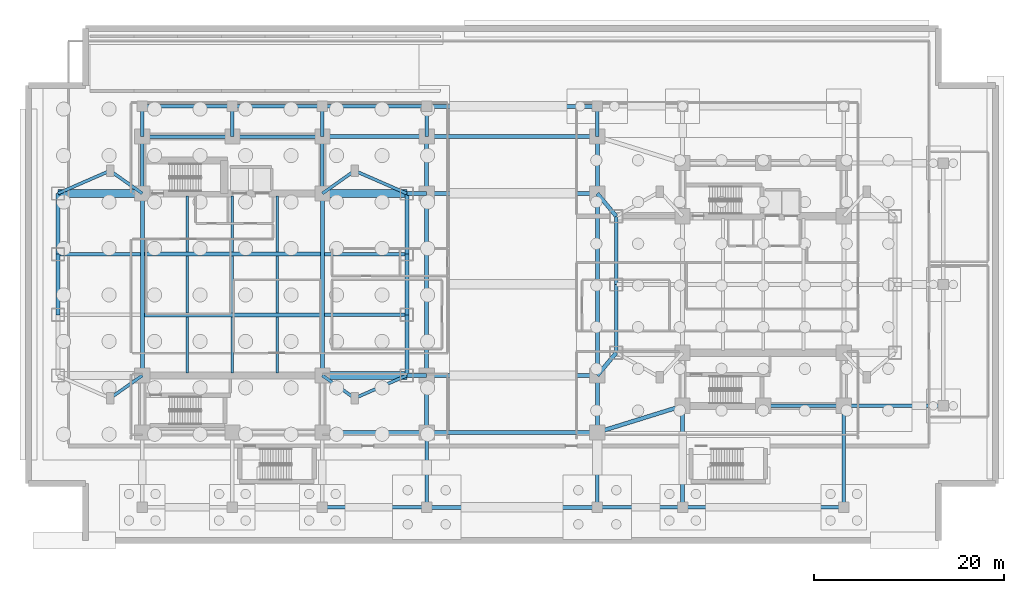
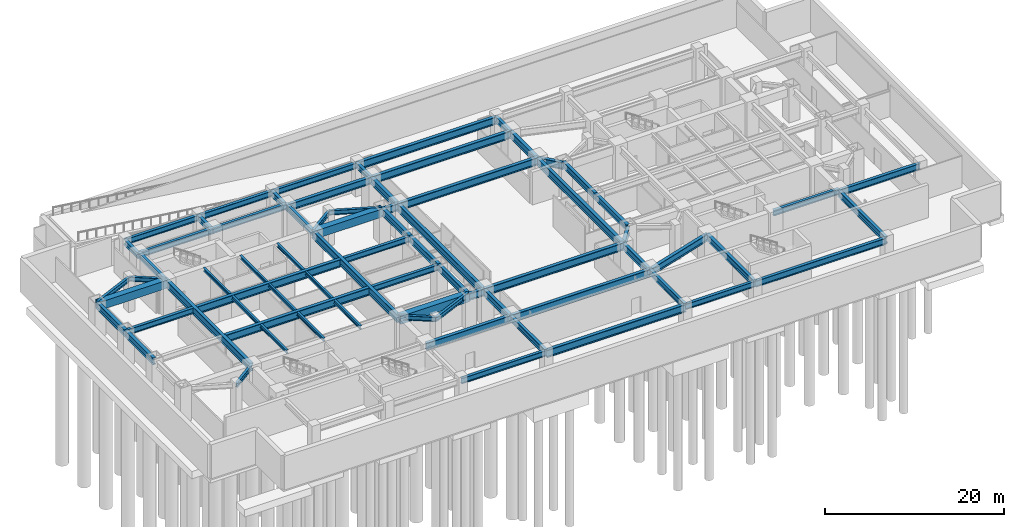
# One storey, part 3 of 16: 73 beams.
"""IFC4 building model written with IfcOpenShell, lengths in metres."""

from ifc_helpers import new_model, si_unit, direction, frame, origin, origin_2d, place, context, subcontext, project, spatial, rectangle, i_section, extrude, material, material_profile, profile_set, type_object, element, save


model = new_model("IFC4")

# Units and contexts
model_context = context("Model", 3, precision=1e-05, world=origin(), true_north=direction((0.0, 1.0)))
body_context = subcontext(model_context, "Body", "Model", "MODEL_VIEW")
ifc_project = project(units=[si_unit("LENGTHUNIT", "METRE"), si_unit("AREAUNIT", "SQUARE_METRE"), si_unit("VOLUMEUNIT", "CUBIC_METRE"), si_unit("PLANEANGLEUNIT", "RADIAN"), si_unit("MASSUNIT", "GRAM", prefix="KILO")], contexts=[model_context])

# Site, building, storey
site_placement = place(None, origin())
site = spatial("IfcSite", under=ifc_project, at=site_placement, CompositionType="ELEMENT")
building_placement = place(site_placement, origin())
building = spatial("IfcBuilding", under=site, at=building_placement, Name="Mirazonda Arch Towers", CompositionType="ELEMENT")
storey_placement = place(building_placement, frame((0.0, 0.0, -4.800048828125)))
storey = spatial("IfcBuildingStorey", under=building, at=storey_placement, Name="B1", CompositionType="ELEMENT", Elevation=-4.800048828125)

# Beams
ifc_material_1 = material(Name="Steel ASTM A992 Grade 50", Category="steel")
ifc_material_profile_1 = material_profile(ifc_material_1, i_section(OverallWidth=0.381103515625, OverallDepth=0.77294921875, WebThickness=0.0166015625, FlangeThickness=0.027099609375, at=origin_2d()), Name="W30X173")
ifc_profile_set_1 = profile_set([ifc_material_profile_1], Name="Steel ASTM A992 Grade 50")
beam_type_1 = type_object("IfcBeamType", Name="BM-EXT-W30X173", PredefinedType="USERDEFINED", material=ifc_profile_set_1)
beam_1_placement = place(storey_placement, frame((30.0, 4.5, 3.91357421875), z_axis=(1.0, 0.0, 0.0), x_axis=(0.0, 1.0, 0.0)))
element("IfcBeam", 1, at=beam_1_placement, inside=storey, type_object=beam_type_1, Name="B1 Floor Beam BM-POD-B1-PS-3", ObjectType="GIRDER", PredefinedType="USERDEFINED", context=body_context, shape_type="SweptSolid", body=[
    extrude(i_section(OverallWidth=0.381103515625, OverallDepth=0.77294921875, WebThickness=0.0166015625, FlangeThickness=0.027099609375, at=origin_2d()), origin(), (0.0, 0.0, 1.0), 11.0),
])
beam_2_placement = place(storey_placement, frame((59.0, 4.5, 3.91357421875), z_axis=(1.0, 0.0, 0.0), x_axis=(0.0, 1.0, 0.0)))
element("IfcBeam", 2, at=beam_2_placement, inside=storey, type_object=beam_type_1, Name="B1 Floor Beam BM-POD-B1-PS-4", ObjectType="GIRDER", PredefinedType="USERDEFINED", context=body_context, shape_type="SweptSolid", body=[
    extrude(i_section(OverallWidth=0.381103515625, OverallDepth=0.77294921875, WebThickness=0.0166015625, FlangeThickness=0.027099609375, at=origin_2d()), origin(), (0.0, 0.0, 1.0), 9.0),
])
for number, where, z_axis, x_axis, name in (
    (3, (11.0, 46.800048828125, 3.91357421875), (1.0, 0.0, 0.0), (0.0, 1.0, 0.0), "B1 Floor Beam BM-POD-B1-PN-1"),
    (4, (20.5, 46.800048828125, 3.91357421875), (1.0, 0.0, 0.0), (0.0, 1.0, 0.0), "B1 Floor Beam BM-POD-B1-PN-2"),
):
    element("IfcBeam", number, at=place(storey_placement, frame(where, z_axis=z_axis, x_axis=x_axis)), inside=storey, type_object=beam_type_1, Name=name, ObjectType="GIRDER", PredefinedType="USERDEFINED", context=body_context, shape_type="SweptSolid", body=[
        extrude(i_section(OverallWidth=0.381103515625, OverallDepth=0.77294921875, WebThickness=0.0166015625, FlangeThickness=0.027099609375, at=origin_2d()), origin(), (0.0, 0.0, 1.0), 9.5),
    ])
beam_3_placement = place(storey_placement, frame((30.0, 46.800048828125, 3.91357421875), z_axis=(1.0, 0.0, 0.0), x_axis=(0.0, 1.0, 0.0)))
element("IfcBeam", 5, at=beam_3_placement, inside=storey, type_object=beam_type_1, Name="B1 Floor Beam BM-POD-B1-PN-3", ObjectType="GIRDER", PredefinedType="USERDEFINED", context=body_context, shape_type="SweptSolid", body=[
    extrude(i_section(OverallWidth=0.381103515625, OverallDepth=0.77294921875, WebThickness=0.0166015625, FlangeThickness=0.027099609375, at=origin_2d()), origin(), (0.0, 0.0, 1.0), 11.0),
])
ifc_material_profile_2 = material_profile(ifc_material_1, i_section(OverallWidth=0.39990234375, OverallDepth=0.85595703125, WebThickness=0.018310546875, FlangeThickness=0.029296875, at=origin_2d()), Name="W33X201")
ifc_profile_set_2 = profile_set([ifc_material_profile_2], Name="Steel ASTM A992 Grade 50")
beam_type_2 = type_object("IfcBeamType", Name="BM-EXT-W33X201", PredefinedType="USERDEFINED", material=ifc_profile_set_2)
for number, where, z_axis, x_axis, name in (
    (6, (61.0, 20.800048828125, 4.052001953125), (0.0, 1.0, 0.0), (-1.0, 0.0, 0.0), "B1 Floor Beam BM-T2-B1-NS-W-20"),
    (7, (61.0, 28.0, 4.052001953125), (0.0, 1.0, 0.0), (-1.0, 0.0, 0.0), "B1 Floor Beam BM-T2-B1-NS-W-28"),
):
    element("IfcBeam", number, at=place(storey_placement, frame(where, z_axis=z_axis, x_axis=x_axis)), inside=storey, type_object=beam_type_2, Name=name, ObjectType="GIRDER", PredefinedType="USERDEFINED", context=body_context, shape_type="SweptSolid", body=[
        extrude(i_section(OverallWidth=0.39990234375, OverallDepth=0.85595703125, WebThickness=0.018310546875, FlangeThickness=0.029296875, at=origin_2d()), origin(), (0.0, 0.0, 1.0), 7.199951171875),
    ])
beam_4_placement = place(storey_placement, frame((68.0, 4.5, 3.8720703125), z_axis=(1.0, 0.0, 0.0), x_axis=(0.0, 1.0, 0.0)))
element("IfcBeam", 8, at=beam_4_placement, inside=storey, type_object=beam_type_2, Name="B1 Floor Beam BM-POD-B1-PS-5", ObjectType="GIRDER", PredefinedType="USERDEFINED", context=body_context, shape_type="SweptSolid", body=[
    extrude(i_section(OverallWidth=0.39990234375, OverallDepth=0.85595703125, WebThickness=0.018310546875, FlangeThickness=0.029296875, at=origin_2d()), origin(), (0.0, 0.0, 1.0), 17.0),
])
ifc_material_profile_3 = material_profile(ifc_material_1, i_section(OverallWidth=0.41796875, OverallDepth=0.927001953125, WebThickness=0.019287109375, FlangeThickness=0.031982421875, at=origin_2d()), Name="W36X231")
ifc_profile_set_3 = profile_set([ifc_material_profile_3], Name="Steel ASTM A992 Grade 50")
beam_type_3 = type_object("IfcBeamType", Name="BM-EXT-W36X231", PredefinedType="USERDEFINED", material=ifc_profile_set_3)
beam_5_placement = place(storey_placement, frame((2.10009765625, 24.800048828125, 4.0166015625), z_axis=(0.0, 1.0, 0.0), x_axis=(-1.0, 0.0, 0.0)))
element("IfcBeam", 9, at=beam_5_placement, inside=storey, type_object=beam_type_3, Name="B1 Floor Beam BM-T1-B1-NS-W-24", ObjectType="GIRDER", PredefinedType="USERDEFINED", context=body_context, shape_type="SweptSolid", body=[
    extrude(i_section(OverallWidth=0.41796875, OverallDepth=0.927001953125, WebThickness=0.019287109375, FlangeThickness=0.031982421875, at=origin_2d()), origin(), (0.0, 0.0, 1.0), 6.39990234375),
])
for number, where, z_axis, x_axis, name in (
    (10, (2.10009765625, 31.199951171875, 4.0166015625), (0.0, 1.0, 0.0), (-1.0, 0.0, 0.0), "B1 Floor Beam BM-T1-B1-NS-W-31"),
    (11, (38.89990234375, 18.39990234375, 4.0166015625), (0.0, 1.0, 0.0), (-1.0, 0.0, 0.0), "B1 Floor Beam BM-T1-B1-NS-E-18"),
):
    element("IfcBeam", number, at=place(storey_placement, frame(where, z_axis=z_axis, x_axis=x_axis)), inside=storey, type_object=beam_type_3, Name=name, ObjectType="GIRDER", PredefinedType="USERDEFINED", context=body_context, shape_type="SweptSolid", body=[
        extrude(i_section(OverallWidth=0.41796875, OverallDepth=0.927001953125, WebThickness=0.019287109375, FlangeThickness=0.031982421875, at=origin_2d()), origin(), (0.0, 0.0, 1.0), 6.400146484375),
    ])
beam_6_placement = place(storey_placement, frame((38.89990234375, 24.800048828125, 4.0166015625), z_axis=(0.0, 1.0, 0.0), x_axis=(-1.0, 0.0, 0.0)))
element("IfcBeam", 12, at=beam_6_placement, inside=storey, type_object=beam_type_3, Name="B1 Floor Beam BM-T1-B1-NS-E-24", ObjectType="GIRDER", PredefinedType="USERDEFINED", context=body_context, shape_type="SweptSolid", body=[
    extrude(i_section(OverallWidth=0.41796875, OverallDepth=0.927001953125, WebThickness=0.019287109375, FlangeThickness=0.031982421875, at=origin_2d()), origin(), (0.0, 0.0, 1.0), 6.39990234375),
])
beam_7_placement = place(storey_placement, frame((38.89990234375, 31.199951171875, 4.0166015625), z_axis=(0.0, 1.0, 0.0), x_axis=(-1.0, 0.0, 0.0)))
element("IfcBeam", 13, at=beam_7_placement, inside=storey, type_object=beam_type_3, Name="B1 Floor Beam BM-T1-B1-NS-E-31", ObjectType="GIRDER", PredefinedType="USERDEFINED", context=body_context, shape_type="SweptSolid", body=[
    extrude(i_section(OverallWidth=0.41796875, OverallDepth=0.927001953125, WebThickness=0.019287109375, FlangeThickness=0.031982421875, at=origin_2d()), origin(), (0.0, 0.0, 1.0), 6.400146484375),
])
ifc_material_profile_4 = material_profile(ifc_material_1, i_section(OverallWidth=0.423095703125, OverallDepth=0.947998046875, WebThickness=0.02392578125, FlangeThickness=0.042724609375, at=origin_2d()), Name="W36X302")
ifc_profile_set_4 = profile_set([ifc_material_profile_4], Name="Steel ASTM A992 Grade 50")
beam_type_4 = type_object("IfcBeamType", Name="BM-EXT-W36X302", PredefinedType="USERDEFINED", material=ifc_profile_set_4)
for number, where, z_axis, x_axis, name in (
    (14, (41.0, 12.39990234375, 3.825927734375), (0.0, 1.0, 0.0), (-1.0, 0.0, 0.0), "B1 Floor Beam BM-POD-B1-PA-WL1"),
    (15, (41.0, 37.60009765625, 3.825927734375), (0.0, 1.0, 0.0), (-1.0, 0.0, 0.0), "B1 Floor Beam BM-POD-B1-PA-WL3"),
    (16, (59.0, 12.39990234375, 3.825927734375), (0.0, 1.0, 0.0), (-1.0, 0.0, 0.0), "B1 Floor Beam BM-POD-B1-PA-EL1"),
    (17, (59.0, 37.60009765625, 3.825927734375), (0.0, 1.0, 0.0), (-1.0, 0.0, 0.0), "B1 Floor Beam BM-POD-B1-PA-EL3"),
):
    element("IfcBeam", number, at=place(storey_placement, frame(where, z_axis=z_axis, x_axis=x_axis)), inside=storey, type_object=beam_type_4, Name=name, ObjectType="GIRDER", PredefinedType="USERDEFINED", context=body_context, shape_type="SweptSolid", body=[
        extrude(i_section(OverallWidth=0.423095703125, OverallDepth=0.947998046875, WebThickness=0.02392578125, FlangeThickness=0.042724609375, at=origin_2d()), origin(), (0.0, 0.0, 1.0), 6.0),
    ])
ifc_material_profile_5 = material_profile(ifc_material_1, i_section(OverallWidth=0.419921875, OverallDepth=1.0400390625, WebThickness=0.031005859375, FlangeThickness=0.055908203125, at=origin_2d()), Name="W40X397")
ifc_profile_set_5 = profile_set([ifc_material_profile_5], Name="Steel ASTM A992 Grade 50")
beam_type_5 = type_object("IfcBeamType", Name="BM-EXT-W40X397", PredefinedType="USERDEFINED", material=ifc_profile_set_5)
for number, where, z_axis, x_axis, name in (
    (18, (41.0, 18.39990234375, 3.780029296875), (0.0, 1.0, 0.0), (-1.0, 0.0, 0.0), "B1 Floor Beam BM-POD-B1-PA-WL2"),
    (19, (59.0, 18.39990234375, 3.780029296875), (0.0, 1.0, 0.0), (-1.0, 0.0, 0.0), "B1 Floor Beam BM-POD-B1-PA-EL2"),
):
    element("IfcBeam", number, at=place(storey_placement, frame(where, z_axis=z_axis, x_axis=x_axis)), inside=storey, type_object=beam_type_5, Name=name, ObjectType="GIRDER", PredefinedType="USERDEFINED", context=body_context, shape_type="SweptSolid", body=[
        extrude(i_section(OverallWidth=0.419921875, OverallDepth=1.0400390625, WebThickness=0.031005859375, FlangeThickness=0.055908203125, at=origin_2d()), origin(), (0.0, 0.0, 1.0), 19.2001953125),
    ])
for number, where, z_axis, x_axis, name in (
    (20, (41.0, 4.5, 3.780029296875), (1.0, 0.0, 0.0), (0.0, 1.0, 0.0), "B1 Floor Beam BM-POD-B1-PARCH-1"),
    (21, (41.0, 46.800048828125, 3.780029296875), (1.0, 0.0, 0.0), (0.0, 1.0, 0.0), "B1 Floor Beam BM-POD-B1-PARCH-6"),
):
    element("IfcBeam", number, at=place(storey_placement, frame(where, z_axis=z_axis, x_axis=x_axis)), inside=storey, type_object=beam_type_5, Name=name, ObjectType="GIRDER", PredefinedType="USERDEFINED", context=body_context, shape_type="SweptSolid", body=[
        extrude(i_section(OverallWidth=0.419921875, OverallDepth=1.0400390625, WebThickness=0.031005859375, FlangeThickness=0.055908203125, at=origin_2d()), origin(), (0.0, 0.0, 1.0), 18.0),
    ])
ifc_material_profile_6 = material_profile(ifc_material_1, i_section(OverallWidth=0.280029296875, OverallDepth=0.462890625, WebThickness=0.0107421875, FlangeThickness=0.017333984375, at=origin_2d()), Name="W18X76")
ifc_profile_set_6 = profile_set([ifc_material_profile_6], Name="Steel ASTM A992 Grade 50")
beam_type_6 = type_object("IfcBeamType", Name="BM-INT-W18X76", PredefinedType="JOIST", material=ifc_profile_set_6)
for number, where, z_axis, x_axis, name in (
    (22, (15.75, 18.639892578125, 4.24853515625), (0.0, 1.0, 0.0), (-1.0, 0.0, 0.0), "B1 Floor Beam BM-T1-B1-J-157-18"),
    (23, (15.75, 31.406005859375, 4.24853515625), (0.0, 1.0, 0.0), (-1.0, 0.0, 0.0), "B1 Floor Beam BM-T1-B1-J-157-31"),
):
    element("IfcBeam", number, at=place(storey_placement, frame(where, z_axis=z_axis, x_axis=x_axis)), inside=storey, type_object=beam_type_6, Name=name, PredefinedType="JOIST", context=body_context, shape_type="SweptSolid", body=[
        extrude(i_section(OverallWidth=0.280029296875, OverallDepth=0.462890625, WebThickness=0.0107421875, FlangeThickness=0.017333984375, at=origin_2d()), origin(), (0.0, 0.0, 1.0), 5.9541015625),
    ])
beam_8_placement = place(storey_placement, frame((15.75, 25.006103515625, 4.24853515625), z_axis=(0.0, 1.0, 0.0), x_axis=(-1.0, 0.0, 0.0)))
element("IfcBeam", 24, at=beam_8_placement, inside=storey, type_object=beam_type_6, Name="B1 Floor Beam BM-T1-B1-J-157-24", PredefinedType="JOIST", context=body_context, shape_type="SweptSolid", body=[
    extrude(i_section(OverallWidth=0.280029296875, OverallDepth=0.462890625, WebThickness=0.0107421875, FlangeThickness=0.017333984375, at=origin_2d()), origin(), (0.0, 0.0, 1.0), 5.98779296875),
])
for number, where, z_axis, x_axis, name in (
    (25, (20.5, 18.639892578125, 4.24853515625), (0.0, 1.0, 0.0), (-1.0, 0.0, 0.0), "B1 Floor Beam BM-T1-B1-J-205-18"),
    (26, (20.5, 31.406005859375, 4.24853515625), (0.0, 1.0, 0.0), (-1.0, 0.0, 0.0), "B1 Floor Beam BM-T1-B1-J-205-31"),
):
    element("IfcBeam", number, at=place(storey_placement, frame(where, z_axis=z_axis, x_axis=x_axis)), inside=storey, type_object=beam_type_6, Name=name, PredefinedType="JOIST", context=body_context, shape_type="SweptSolid", body=[
        extrude(i_section(OverallWidth=0.280029296875, OverallDepth=0.462890625, WebThickness=0.0107421875, FlangeThickness=0.017333984375, at=origin_2d()), origin(), (0.0, 0.0, 1.0), 5.9541015625),
    ])
beam_9_placement = place(storey_placement, frame((20.5, 25.006103515625, 4.24853515625), z_axis=(0.0, 1.0, 0.0), x_axis=(-1.0, 0.0, 0.0)))
element("IfcBeam", 27, at=beam_9_placement, inside=storey, type_object=beam_type_6, Name="B1 Floor Beam BM-T1-B1-J-205-24", PredefinedType="JOIST", context=body_context, shape_type="SweptSolid", body=[
    extrude(i_section(OverallWidth=0.280029296875, OverallDepth=0.462890625, WebThickness=0.0107421875, FlangeThickness=0.017333984375, at=origin_2d()), origin(), (0.0, 0.0, 1.0), 5.98779296875),
])
for number, where, z_axis, x_axis, name in (
    (28, (25.25, 18.639892578125, 4.24853515625), (0.0, 1.0, 0.0), (-1.0, 0.0, 0.0), "B1 Floor Beam BM-T1-B1-J-252-18"),
    (29, (25.25, 31.406005859375, 4.24853515625), (0.0, 1.0, 0.0), (-1.0, 0.0, 0.0), "B1 Floor Beam BM-T1-B1-J-252-31"),
):
    element("IfcBeam", number, at=place(storey_placement, frame(where, z_axis=z_axis, x_axis=x_axis)), inside=storey, type_object=beam_type_6, Name=name, PredefinedType="JOIST", context=body_context, shape_type="SweptSolid", body=[
        extrude(i_section(OverallWidth=0.280029296875, OverallDepth=0.462890625, WebThickness=0.0107421875, FlangeThickness=0.017333984375, at=origin_2d()), origin(), (0.0, 0.0, 1.0), 5.9541015625),
    ])
beam_10_placement = place(storey_placement, frame((25.25, 25.006103515625, 4.24853515625), z_axis=(0.0, 1.0, 0.0), x_axis=(-1.0, 0.0, 0.0)))
element("IfcBeam", 30, at=beam_10_placement, inside=storey, type_object=beam_type_6, Name="B1 Floor Beam BM-T1-B1-J-252-24", PredefinedType="JOIST", context=body_context, shape_type="SweptSolid", body=[
    extrude(i_section(OverallWidth=0.280029296875, OverallDepth=0.462890625, WebThickness=0.0107421875, FlangeThickness=0.017333984375, at=origin_2d()), origin(), (0.0, 0.0, 1.0), 5.98779296875),
])
ifc_material_profile_7 = material_profile(ifc_material_1, i_section(OverallWidth=0.324951171875, OverallDepth=0.615966796875, WebThickness=0.013916015625, FlangeThickness=0.021484375, at=origin_2d()), Name="W24X117")
ifc_profile_set_7 = profile_set([ifc_material_profile_7], Name="Steel ASTM A992 Grade 50")
beam_type_7 = type_object("IfcBeamType", Name="BM-INT-W24X117", PredefinedType="BEAM", material=ifc_profile_set_7)
for number, where, z_axis, x_axis, name in (
    (31, (7.60009765625, 16.0, 4.172119140625), (0.816971114901, 0.576678591087, 0.0), (-0.576678591087, 0.816971114901, 0.0), "B1 Floor Beam BM-T1-B1-PL-SW1"),
    (32, (33.39990234375, 16.0, 4.172119140625), (-0.816971114901, 0.576678591087, 0.0), (-0.576678591087, -0.816971114901, 0.0), "B1 Floor Beam BM-T1-B1-PL-SE1"),
):
    element("IfcBeam", number, at=place(storey_placement, frame(where, z_axis=z_axis, x_axis=x_axis)), inside=storey, type_object=beam_type_7, Name=name, PredefinedType="BEAM", context=body_context, shape_type="SweptSolid", body=[
        extrude(i_section(OverallWidth=0.324951171875, OverallDepth=0.615966796875, WebThickness=0.013916015625, FlangeThickness=0.021484375, at=origin_2d()), origin(), (0.0, 0.0, 1.0), 4.16162109375),
    ])
beam_11_placement = place(storey_placement, frame((33.39990234375, 16.0, 4.172119140625), z_axis=(0.916545343703, 0.399930785183, 0.0), x_axis=(-0.399930785183, 0.916545343703, 0.0)))
element("IfcBeam", 33, at=beam_11_placement, inside=storey, type_object=beam_type_7, Name="B1 Floor Beam BM-T1-B1-PL-SE2", PredefinedType="BEAM", context=body_context, shape_type="SweptSolid", body=[
    extrude(i_section(OverallWidth=0.324951171875, OverallDepth=0.615966796875, WebThickness=0.013916015625, FlangeThickness=0.021484375, at=origin_2d()), origin(), (0.0, 0.0, 1.0), 6.000732421875),
])
beam_12_placement = place(storey_placement, frame((7.60009765625, 40.0, 4.172119140625), z_axis=(0.816971114901, -0.576678591087, 0.0), x_axis=(0.576678591087, 0.816971114901, 0.0)))
element("IfcBeam", 34, at=beam_12_placement, inside=storey, type_object=beam_type_7, Name="B1 Floor Beam BM-T1-B1-PL-NW1", PredefinedType="BEAM", context=body_context, shape_type="SweptSolid", body=[
    extrude(i_section(OverallWidth=0.324951171875, OverallDepth=0.615966796875, WebThickness=0.013916015625, FlangeThickness=0.021484375, at=origin_2d()), origin(), (0.0, 0.0, 1.0), 4.16162109375),
])
beam_13_placement = place(storey_placement, frame((7.60009765625, 40.0, 4.172119140625), z_axis=(-0.916545343703, -0.399930785183, 0.0), x_axis=(0.399930785183, -0.916545343703, 0.0)))
element("IfcBeam", 35, at=beam_13_placement, inside=storey, type_object=beam_type_7, Name="B1 Floor Beam BM-T1-B1-PL-NW2", PredefinedType="BEAM", context=body_context, shape_type="SweptSolid", body=[
    extrude(i_section(OverallWidth=0.324951171875, OverallDepth=0.615966796875, WebThickness=0.013916015625, FlangeThickness=0.021484375, at=origin_2d()), origin(), (0.0, 0.0, 1.0), 6.000732421875),
])
beam_14_placement = place(storey_placement, frame((33.39990234375, 40.0, 4.172119140625), z_axis=(-0.816971114901, -0.576678591087, 0.0), x_axis=(0.576678591087, -0.816971114901, 0.0)))
element("IfcBeam", 36, at=beam_14_placement, inside=storey, type_object=beam_type_7, Name="B1 Floor Beam BM-T1-B1-PL-NE1", PredefinedType="BEAM", context=body_context, shape_type="SweptSolid", body=[
    extrude(i_section(OverallWidth=0.324951171875, OverallDepth=0.615966796875, WebThickness=0.013916015625, FlangeThickness=0.021484375, at=origin_2d()), origin(), (0.0, 0.0, 1.0), 4.16162109375),
])
beam_15_placement = place(storey_placement, frame((33.39990234375, 40.0, 4.172119140625), z_axis=(0.916545343703, -0.399930785183, 0.0), x_axis=(0.399930785183, 0.916545343703, 0.0)))
element("IfcBeam", 37, at=beam_15_placement, inside=storey, type_object=beam_type_7, Name="B1 Floor Beam BM-T1-B1-PL-NE2", PredefinedType="BEAM", context=body_context, shape_type="SweptSolid", body=[
    extrude(i_section(OverallWidth=0.324951171875, OverallDepth=0.615966796875, WebThickness=0.013916015625, FlangeThickness=0.021484375, at=origin_2d()), origin(), (0.0, 0.0, 1.0), 6.000732421875),
])
ifc_material_profile_8 = material_profile(ifc_material_1, i_section(OverallWidth=0.381103515625, OverallDepth=0.77294921875, WebThickness=0.0166015625, FlangeThickness=0.027099609375, at=origin_2d()), Name="W30X173")
ifc_profile_set_8 = profile_set([ifc_material_profile_8], Name="Steel ASTM A992 Grade 50")
beam_type_8 = type_object("IfcBeamType", Name="BM-INT-W30X173", PredefinedType="USERDEFINED", material=ifc_profile_set_8)
for number, where, z_axis, x_axis, name in (
    (38, (30.2099609375, 24.800048828125, 4.093505859375), (1.0, 0.0, 0.0), (0.0, 1.0, 0.0), "B1 Floor Beam BM-T1-B1-GE2"),
    (39, (2.10009765625, 31.199951171875, 4.093505859375), (1.0, 0.0, 0.0), (0.0, 1.0, 0.0), "B1 Floor Beam BM-T1-B1-GW3"),
    (40, (30.2099609375, 31.199951171875, 4.093505859375), (1.0, 0.0, 0.0), (0.0, 1.0, 0.0), "B1 Floor Beam BM-T1-B1-GE3"),
):
    element("IfcBeam", number, at=place(storey_placement, frame(where, z_axis=z_axis, x_axis=x_axis)), inside=storey, type_object=beam_type_8, Name=name, ObjectType="GIRDER", PredefinedType="USERDEFINED", context=body_context, shape_type="SweptSolid", body=[
        extrude(i_section(OverallWidth=0.381103515625, OverallDepth=0.77294921875, WebThickness=0.0166015625, FlangeThickness=0.027099609375, at=origin_2d()), origin(), (0.0, 0.0, 1.0), 8.68994140625),
    ])
for number, where, z_axis, x_axis, name in (
    (41, (11.0, 43.60009765625, 4.093505859375), (1.0, 0.0, 0.0), (0.0, 1.0, 0.0), "B1 Floor Beam BM-T1-B1-CN1"),
    (42, (20.5, 43.60009765625, 4.093505859375), (1.0, 0.0, 0.0), (0.0, 1.0, 0.0), "B1 Floor Beam BM-T1-B1-CN2"),
):
    element("IfcBeam", number, at=place(storey_placement, frame(where, z_axis=z_axis, x_axis=x_axis)), inside=storey, type_object=beam_type_8, Name=name, ObjectType="GIRDER", PredefinedType="USERDEFINED", context=body_context, shape_type="SweptSolid", body=[
        extrude(i_section(OverallWidth=0.381103515625, OverallDepth=0.77294921875, WebThickness=0.0166015625, FlangeThickness=0.027099609375, at=origin_2d()), origin(), (0.0, 0.0, 1.0), 9.5),
    ])
for number, where, z_axis, x_axis, name in (
    (43, (11.0, 37.60009765625, 4.093505859375), (0.0, 1.0, 0.0), (-1.0, 0.0, 0.0), "B1 Floor Beam BM-T1-B1-CNW"),
    (44, (30.0, 37.60009765625, 4.093505859375), (0.0, 1.0, 0.0), (-1.0, 0.0, 0.0), "B1 Floor Beam BM-T1-B1-CNE"),
):
    element("IfcBeam", number, at=place(storey_placement, frame(where, z_axis=z_axis, x_axis=x_axis)), inside=storey, type_object=beam_type_8, Name=name, ObjectType="GIRDER", PredefinedType="USERDEFINED", context=body_context, shape_type="SweptSolid", body=[
        extrude(i_section(OverallWidth=0.381103515625, OverallDepth=0.77294921875, WebThickness=0.0166015625, FlangeThickness=0.027099609375, at=origin_2d()), origin(), (0.0, 0.0, 1.0), 6.0),
    ])
beam_16_placement = place(storey_placement, frame((76.5, 15.199951171875, 4.093505859375), z_axis=(1.0, 0.0, 0.0), x_axis=(0.0, 1.0, 0.0)))
element("IfcBeam", 45, at=beam_16_placement, inside=storey, type_object=beam_type_8, Name="B1 Floor Beam BM-T2-B1-CS2", ObjectType="GIRDER", PredefinedType="USERDEFINED", context=body_context, shape_type="SweptSolid", body=[
    extrude(i_section(OverallWidth=0.381103515625, OverallDepth=0.77294921875, WebThickness=0.0166015625, FlangeThickness=0.027099609375, at=origin_2d()), origin(), (0.0, 0.0, 1.0), 8.5),
])
for number, where, z_axis, x_axis, name in (
    (46, (41.0, 4.5, 3.91357421875), (0.0, 1.0, 0.0), (-1.0, 0.0, 0.0), "B1 Floor Beam BM-POD-B1-PCS-4"),
    (47, (59.0, 4.5, 3.91357421875), (0.0, 1.0, 0.0), (-1.0, 0.0, 0.0), "B1 Floor Beam BM-POD-B1-PCS-5"),
):
    element("IfcBeam", number, at=place(storey_placement, frame(where, z_axis=z_axis, x_axis=x_axis)), inside=storey, type_object=beam_type_8, Name=name, ObjectType="GIRDER", PredefinedType="USERDEFINED", context=body_context, shape_type="SweptSolid", body=[
        extrude(i_section(OverallWidth=0.381103515625, OverallDepth=0.77294921875, WebThickness=0.0166015625, FlangeThickness=0.027099609375, at=origin_2d()), origin(), (0.0, 0.0, 1.0), 7.89990234375),
    ])
for number, where, z_axis, x_axis, name in (
    (48, (11.0, 43.60009765625, 3.91357421875), (0.0, 1.0, 0.0), (-1.0, 0.0, 0.0), "B1 Floor Beam BM-POD-B1-PCN-1"),
    (49, (20.5, 43.60009765625, 3.91357421875), (0.0, 1.0, 0.0), (-1.0, 0.0, 0.0), "B1 Floor Beam BM-POD-B1-PCN-2"),
    (50, (30.0, 43.60009765625, 3.91357421875), (0.0, 1.0, 0.0), (-1.0, 0.0, 0.0), "B1 Floor Beam BM-POD-B1-PCN-3"),
    (51, (41.0, 43.60009765625, 3.91357421875), (0.0, 1.0, 0.0), (-1.0, 0.0, 0.0), "B1 Floor Beam BM-POD-B1-PCN-4"),
    (52, (59.0, 43.60009765625, 3.91357421875), (0.0, 1.0, 0.0), (-1.0, 0.0, 0.0), "B1 Floor Beam BM-POD-B1-PCN-5"),
):
    element("IfcBeam", number, at=place(storey_placement, frame(where, z_axis=z_axis, x_axis=x_axis)), inside=storey, type_object=beam_type_8, Name=name, ObjectType="GIRDER", PredefinedType="USERDEFINED", context=body_context, shape_type="SweptSolid", body=[
        extrude(i_section(OverallWidth=0.381103515625, OverallDepth=0.77294921875, WebThickness=0.0166015625, FlangeThickness=0.027099609375, at=origin_2d()), origin(), (0.0, 0.0, 1.0), 3.199951171875),
    ])
ifc_material_profile_9 = material_profile(ifc_material_1, i_section(OverallWidth=0.39990234375, OverallDepth=0.85595703125, WebThickness=0.018310546875, FlangeThickness=0.029296875, at=origin_2d()), Name="W33X201")
ifc_profile_set_9 = profile_set([ifc_material_profile_9], Name="Steel ASTM A992 Grade 50")
beam_type_9 = type_object("IfcBeamType", Name="BM-INT-W33X201", PredefinedType="USERDEFINED", material=ifc_profile_set_9)
for number, where, z_axis, x_axis, name in (
    (53, (68.0, 4.5, 3.8720703125), (0.0, 1.0, 0.0), (-1.0, 0.0, 0.0), "B1 Floor Beam BM-POD-B1-PCS-6"),
    (54, (85.0, 4.5, 3.8720703125), (0.0, 1.0, 0.0), (-1.0, 0.0, 0.0), "B1 Floor Beam BM-POD-B1-PCS-7"),
):
    element("IfcBeam", number, at=place(storey_placement, frame(where, z_axis=z_axis, x_axis=x_axis)), inside=storey, type_object=beam_type_9, Name=name, ObjectType="GIRDER", PredefinedType="USERDEFINED", context=body_context, shape_type="SweptSolid", body=[
        extrude(i_section(OverallWidth=0.39990234375, OverallDepth=0.85595703125, WebThickness=0.018310546875, FlangeThickness=0.029296875, at=origin_2d()), origin(), (0.0, 0.0, 1.0), 10.699951171875),
    ])
beam_17_placement = place(storey_placement, frame((85.0, 15.199951171875, 3.8720703125), z_axis=(1.0, 0.0, 0.0), x_axis=(0.0, 1.0, 0.0)))
element("IfcBeam", 55, at=beam_17_placement, inside=storey, type_object=beam_type_9, Name="B1 Floor Beam BM-POD-B1-PCE-1", ObjectType="GIRDER", PredefinedType="USERDEFINED", context=body_context, shape_type="SweptSolid", body=[
    extrude(i_section(OverallWidth=0.39990234375, OverallDepth=0.85595703125, WebThickness=0.018310546875, FlangeThickness=0.029296875, at=origin_2d()), origin(), (0.0, 0.0, 1.0), 10.5),
])
ifc_material_profile_10 = material_profile(ifc_material_1, i_section(OverallWidth=0.423095703125, OverallDepth=0.947998046875, WebThickness=0.02392578125, FlangeThickness=0.042724609375, at=origin_2d()), Name="W36X302")
ifc_profile_set_10 = profile_set([ifc_material_profile_10], Name="Steel ASTM A992 Grade 50")
beam_type_10 = type_object("IfcBeamType", Name="BM-INT-W36X302", PredefinedType="USERDEFINED", material=ifc_profile_set_10)
beam_18_placement = place(storey_placement, frame((30.0, 12.39990234375, 3.825927734375), z_axis=(1.0, 0.0, 0.0), x_axis=(0.0, 1.0, 0.0)))
element("IfcBeam", 56, at=beam_18_placement, inside=storey, type_object=beam_type_10, Name="B1 Floor Beam BM-POD-B1-PA-W1", ObjectType="GIRDER", PredefinedType="USERDEFINED", context=body_context, shape_type="SweptSolid", body=[
    extrude(i_section(OverallWidth=0.423095703125, OverallDepth=0.947998046875, WebThickness=0.02392578125, FlangeThickness=0.042724609375, at=origin_2d()), origin(), (0.0, 0.0, 1.0), 11.0),
])
for number, where, z_axis, x_axis, name in (
    (57, (38.89990234375, 18.39990234375, 3.825927734375), (1.0, 0.0, 0.0), (0.0, 1.0, 0.0), "B1 Floor Beam BM-POD-B1-PA-W2"),
    (58, (38.89990234375, 37.60009765625, 3.825927734375), (1.0, 0.0, 0.0), (0.0, 1.0, 0.0), "B1 Floor Beam BM-POD-B1-PA-W3"),
):
    element("IfcBeam", number, at=place(storey_placement, frame(where, z_axis=z_axis, x_axis=x_axis)), inside=storey, type_object=beam_type_10, Name=name, ObjectType="GIRDER", PredefinedType="USERDEFINED", context=body_context, shape_type="SweptSolid", body=[
        extrude(i_section(OverallWidth=0.423095703125, OverallDepth=0.947998046875, WebThickness=0.02392578125, FlangeThickness=0.042724609375, at=origin_2d()), origin(), (0.0, 0.0, 1.0), 2.10009765625),
    ])
beam_19_placement = place(storey_placement, frame((30.0, 43.60009765625, 3.825927734375), z_axis=(1.0, 0.0, 0.0), x_axis=(0.0, 1.0, 0.0)))
element("IfcBeam", 59, at=beam_19_placement, inside=storey, type_object=beam_type_10, Name="B1 Floor Beam BM-POD-B1-PA-W4", ObjectType="GIRDER", PredefinedType="USERDEFINED", context=body_context, shape_type="SweptSolid", body=[
    extrude(i_section(OverallWidth=0.423095703125, OverallDepth=0.947998046875, WebThickness=0.02392578125, FlangeThickness=0.042724609375, at=origin_2d()), origin(), (0.0, 0.0, 1.0), 11.0),
])
beam_20_placement = place(storey_placement, frame((59.0, 12.39990234375, 3.825927734375), z_axis=(0.954855306861, 0.29707127589, 0.0), x_axis=(-0.29707127589, 0.954855306861, 0.0)))
element("IfcBeam", 60, at=beam_20_placement, inside=storey, type_object=beam_type_10, Name="B1 Floor Beam BM-POD-B1-PA-E1", ObjectType="GIRDER", PredefinedType="USERDEFINED", context=body_context, shape_type="SweptSolid", body=[
    extrude(i_section(OverallWidth=0.423095703125, OverallDepth=0.947998046875, WebThickness=0.02392578125, FlangeThickness=0.042724609375, at=origin_2d()), origin(), (0.0, 0.0, 1.0), 9.425537109375),
])
for number, where, z_axis, x_axis, name in (
    (61, (59.0, 18.39990234375, 3.825927734375), (0.640161340286, 0.76824049516, 0.0), (-0.76824049516, 0.640161340286, 0.0), "B1 Floor Beam BM-POD-B1-PA-E2"),
    (62, (59.0, 37.60009765625, 3.825927734375), (0.640161340286, -0.76824049516, 0.0), (0.76824049516, 0.640161340286, 0.0), "B1 Floor Beam BM-POD-B1-PA-E3"),
):
    element("IfcBeam", number, at=place(storey_placement, frame(where, z_axis=z_axis, x_axis=x_axis)), inside=storey, type_object=beam_type_10, Name=name, ObjectType="GIRDER", PredefinedType="USERDEFINED", context=body_context, shape_type="SweptSolid", body=[
        extrude(i_section(OverallWidth=0.423095703125, OverallDepth=0.947998046875, WebThickness=0.02392578125, FlangeThickness=0.042724609375, at=origin_2d()), origin(), (0.0, 0.0, 1.0), 3.124267578125),
    ])
ifc_material_profile_11 = material_profile(ifc_material_1, i_section(OverallWidth=0.419921875, OverallDepth=1.0400390625, WebThickness=0.031005859375, FlangeThickness=0.055908203125, at=origin_2d()), Name="W40X397")
ifc_profile_set_11 = profile_set([ifc_material_profile_11], Name="Steel ASTM A992 Grade 50")
beam_type_11 = type_object("IfcBeamType", Name="BM-INT-W40X397", PredefinedType="USERDEFINED", material=ifc_profile_set_11)
for number, where, z_axis, x_axis, name in (
    (63, (11.2099609375, 24.800048828125, 3.9599609375), (1.0, 0.0, 0.0), (0.0, 1.0, 0.0), "B1 Floor Beam BM-T1-B1-GC2"),
    (64, (11.2099609375, 31.199951171875, 3.9599609375), (1.0, 0.0, 0.0), (0.0, 1.0, 0.0), "B1 Floor Beam BM-T1-B1-GC3"),
):
    element("IfcBeam", number, at=place(storey_placement, frame(where, z_axis=z_axis, x_axis=x_axis)), inside=storey, type_object=beam_type_11, Name=name, ObjectType="GIRDER", PredefinedType="USERDEFINED", context=body_context, shape_type="SweptSolid", body=[
        extrude(i_section(OverallWidth=0.419921875, OverallDepth=1.0400390625, WebThickness=0.031005859375, FlangeThickness=0.055908203125, at=origin_2d()), origin(), (0.0, 0.0, 1.0), 18.580078125),
    ])
for number, where, z_axis, x_axis, name in (
    (65, (11.0, 18.39990234375, 3.9599609375), (0.0, 1.0, 0.0), (-1.0, 0.0, 0.0), "B1 Floor Beam BM-T1-B1-NS-CW-FULL"),
    (66, (30.0, 18.39990234375, 3.9599609375), (0.0, 1.0, 0.0), (-1.0, 0.0, 0.0), "B1 Floor Beam BM-T1-B1-NS-CE-FULL"),
):
    element("IfcBeam", number, at=place(storey_placement, frame(where, z_axis=z_axis, x_axis=x_axis)), inside=storey, type_object=beam_type_11, Name=name, ObjectType="GIRDER", PredefinedType="USERDEFINED", context=body_context, shape_type="SweptSolid", body=[
        extrude(i_section(OverallWidth=0.419921875, OverallDepth=1.0400390625, WebThickness=0.031005859375, FlangeThickness=0.055908203125, at=origin_2d()), origin(), (0.0, 0.0, 1.0), 19.2001953125),
    ])
for number, where, z_axis, x_axis, name in (
    (67, (41.0, 12.39990234375, 3.780029296875), (1.0, 0.0, 0.0), (0.0, 1.0, 0.0), "B1 Floor Beam BM-POD-B1-PARCH-2"),
    (68, (41.0, 18.39990234375, 3.780029296875), (1.0, 0.0, 0.0), (0.0, 1.0, 0.0), "B1 Floor Beam BM-POD-B1-PARCH-3"),
    (69, (41.0, 37.60009765625, 3.780029296875), (1.0, 0.0, 0.0), (0.0, 1.0, 0.0), "B1 Floor Beam BM-POD-B1-PARCH-4"),
    (70, (41.0, 43.60009765625, 3.780029296875), (1.0, 0.0, 0.0), (0.0, 1.0, 0.0), "B1 Floor Beam BM-POD-B1-PARCH-5"),
):
    element("IfcBeam", number, at=place(storey_placement, frame(where, z_axis=z_axis, x_axis=x_axis)), inside=storey, type_object=beam_type_11, Name=name, ObjectType="GIRDER", PredefinedType="USERDEFINED", context=body_context, shape_type="SweptSolid", body=[
        extrude(i_section(OverallWidth=0.419921875, OverallDepth=1.0400390625, WebThickness=0.031005859375, FlangeThickness=0.055908203125, at=origin_2d()), origin(), (0.0, 0.0, 1.0), 18.0),
    ])
ifc_material_2 = material(Name="Concrete C60/75", Category="concrete")
ifc_material_profile_12 = material_profile(ifc_material_2, rectangle(XDim=0.800048828125, YDim=1.10009765625, at=origin_2d()), Name="RCCB800x1100")
ifc_profile_set_12 = profile_set([ifc_material_profile_12], Name="Concrete C60/75")
beam_type_12 = type_object("IfcBeamType", Name="CB-INT-RCCB800x1100", PredefinedType="SPANDREL", material=ifc_profile_set_12)
for number, where, z_axis, x_axis, name in (
    (71, (2.10009765625, 37.60009765625, 3.929931640625), (1.0, 0.0, 0.0), (0.0, 1.0, 0.0), "B1 Floor Beam CB-T1-B1-NW"),
    (72, (30.0, 37.60009765625, 3.929931640625), (1.0, 0.0, 0.0), (0.0, 1.0, 0.0), "B1 Floor Beam CB-T1-B1-NE"),
    (73, (30.0, 18.39990234375, 3.929931640625), (1.0, 0.0, 0.0), (0.0, 1.0, 0.0), "B1 Floor Beam CB-T1-B1-SE"),
):
    element("IfcBeam", number, at=place(storey_placement, frame(where, z_axis=z_axis, x_axis=x_axis)), inside=storey, type_object=beam_type_12, Name=name, PredefinedType="SPANDREL", context=body_context, shape_type="SweptSolid", body=[
        extrude(rectangle(XDim=0.800048828125, YDim=1.10009765625, at=origin_2d()), origin(), (0.0, 0.0, 1.0), 8.89990234375),
    ])

save(model, "model.ifc")
